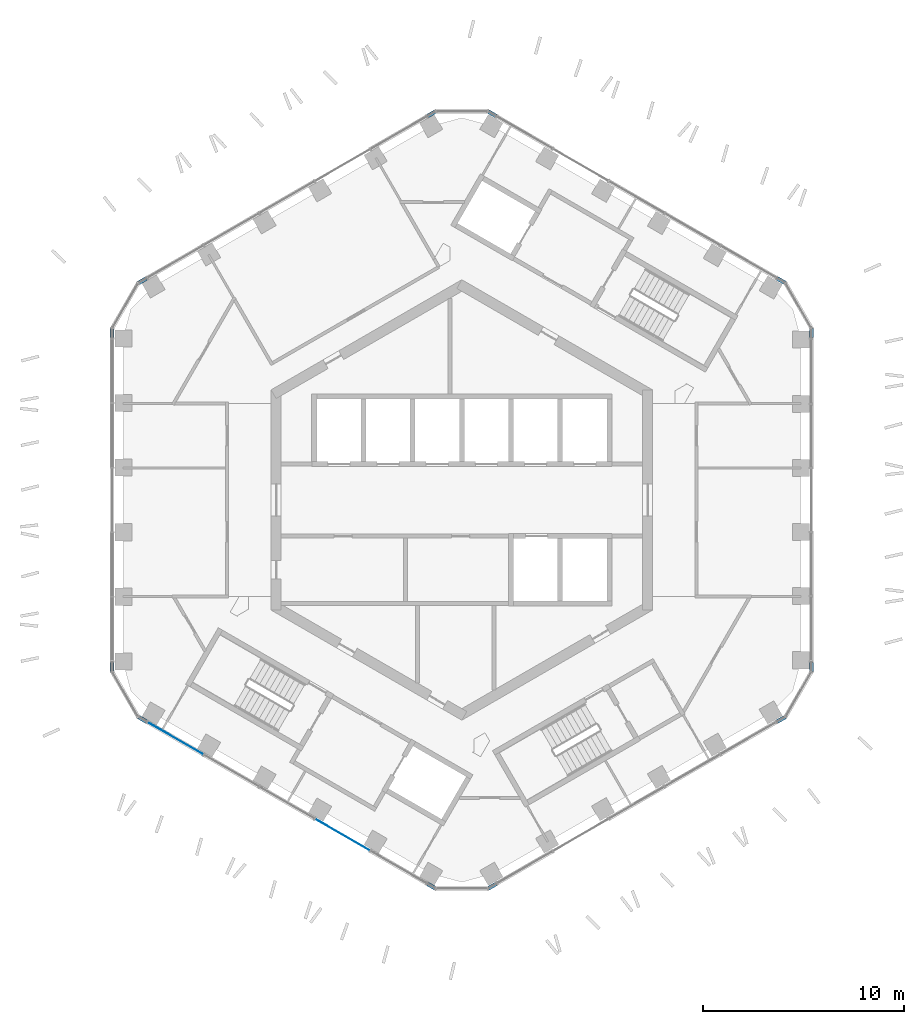
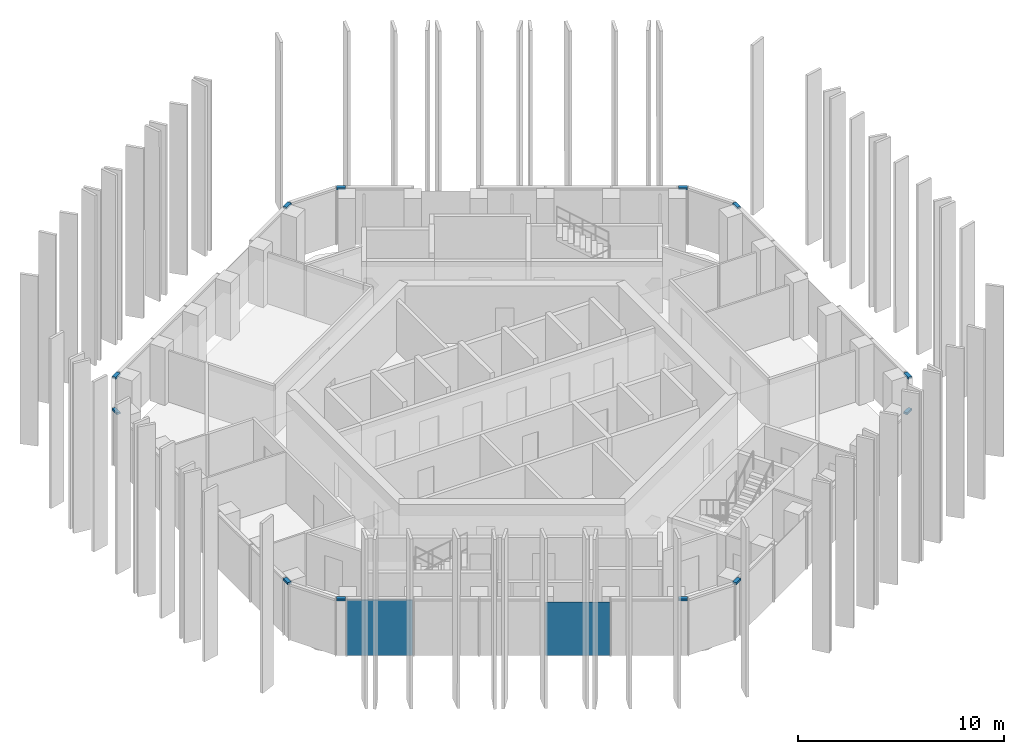
# One storey, part 7 of 18: 12 members, 2 plates, 7 elements without a shape of their own.
"""IFC4 building model written with IfcOpenShell, lengths in metres."""

from ifc_helpers import new_model, si_unit, direction, frame, origin, origin_2d, place, context, subcontext, project, spatial, rectangle, extrude, material, layer, layer_set, material_profile, profile_set, type_object, element, aggregate, save


model = new_model("IFC4")

# Units and contexts
model_context = context("Model", 3, precision=1e-05, world=origin(), true_north=direction((0.0, 1.0)))
body_context = subcontext(model_context, "Body", "Model", "MODEL_VIEW")
ifc_project = project(units=[si_unit("LENGTHUNIT", "METRE"), si_unit("AREAUNIT", "SQUARE_METRE"), si_unit("VOLUMEUNIT", "CUBIC_METRE"), si_unit("PLANEANGLEUNIT", "RADIAN"), si_unit("MASSUNIT", "GRAM", prefix="KILO")], contexts=[model_context])

# Site, building, storey
site_placement = place(None, origin())
site = spatial("IfcSite", under=ifc_project, at=site_placement, CompositionType="ELEMENT")
building_placement = place(site_placement, origin())
building = spatial("IfcBuilding", under=site, at=building_placement, Name="Ayvan Gate Tower", CompositionType="ELEMENT")
storey_placement = place(building_placement, frame((0.0, 0.0, 218.89990234375)))
storey = spatial("IfcBuildingStorey", under=building, at=storey_placement, Name="L58", CompositionType="ELEMENT", Elevation=218.89990234375)

# Curtain wall, members
ifc_material_1 = material(Name="Bronze anodised aluminium", Category="aluminium")
ifc_layer_1 = layer(ifc_material_1, 0.199951171875)
ifc_layer_set_1 = layer_set([ifc_layer_1], Name="Bronze anodised aluminium")
curtain_wall_type_1 = type_object("IfcCurtainWallType", Name="Stick curtain wall CW-6", PredefinedType="NOTDEFINED", material=ifc_layer_set_1)
curtain_wall_1_placement = place(storey_placement, origin())
curtain_wall_1 = element("IfcCurtainWall", 1, at=curtain_wall_1_placement, inside=storey, type_object=curtain_wall_type_1, Name="Stick curtain wall CW-6 L58", PredefinedType="NOTDEFINED")
ifc_material_profile = material_profile(ifc_material_1, rectangle(XDim=0.199951171875, YDim=0.1201171875, at=origin_2d()), Name="Stick curtain wall CW-6 transom 200 x 120")
ifc_profile_set = profile_set([ifc_material_profile], Name="Bronze anodised aluminium")
member_type = type_object("IfcMemberType", Name="Stick curtain wall CW-6 transom 200 x 120", PredefinedType="USERDEFINED", material=ifc_profile_set)
member_1_placement = place(storey_placement, frame((-15.7099609375, 11.0361328125, 3.340087890625), z_axis=(-0.865896406789, -0.500223362819, 0.0), x_axis=(0.500223362819, -0.865896406789, 0.0)))
member_1 = element("IfcMember", 2, at=member_1_placement, type_object=member_type, Name="CW-6 transom 1", ObjectType="TRANSOM", PredefinedType="USERDEFINED", context=body_context, shape_type="SweptSolid", body=[
    extrude(rectangle(XDim=0.199951171875, YDim=0.1201171875, at=origin_2d()), origin(), (0.0, 0.0, 1.0), 0.449951171875),
])
member_2_placement = place(storey_placement, frame((-17.41259765625, 8.537109375, 3.340087890625), z_axis=(0.0, -1.0, 0.0), x_axis=(1.0, 0.0, 0.0)))
member_2 = element("IfcMember", 3, at=member_2_placement, type_object=member_type, Name="CW-6 transom 3", ObjectType="TRANSOM", PredefinedType="USERDEFINED", context=body_context, shape_type="SweptSolid", body=[
    extrude(rectangle(XDim=0.199951171875, YDim=0.1201171875, at=origin_2d()), origin(), (0.0, 0.0, 1.0), 0.449951171875),
])
aggregate(curtain_wall_1, [member_1, member_2])

curtain_wall_2_placement = place(storey_placement, origin())
curtain_wall_2 = element("IfcCurtainWall", 4, at=curtain_wall_2_placement, inside=storey, type_object=curtain_wall_type_1, Name="Stick curtain wall CW-6 L58", PredefinedType="NOTDEFINED")
member_3_placement = place(storey_placement, frame((-17.41259765625, -8.087158203125, 3.340087890625), z_axis=(0.0, -1.0, 0.0), x_axis=(1.0, 0.0, 0.0)))
member_3 = element("IfcMember", 5, at=member_3_placement, type_object=member_type, Name="CW-6 transom 1", ObjectType="TRANSOM", PredefinedType="USERDEFINED", context=body_context, shape_type="SweptSolid", body=[
    extrude(rectangle(XDim=0.199951171875, YDim=0.1201171875, at=origin_2d()), origin(), (0.0, 0.0, 1.0), 0.449951171875),
])
member_4_placement = place(storey_placement, frame((-16.099609375, -10.81103515625, 3.340087890625), z_axis=(0.865896406789, -0.500223362819, 0.0), x_axis=(0.500223362819, 0.865896406789, 0.0)))
member_4 = element("IfcMember", 6, at=member_4_placement, type_object=member_type, Name="CW-6 transom 3", ObjectType="TRANSOM", PredefinedType="USERDEFINED", context=body_context, shape_type="SweptSolid", body=[
    extrude(rectangle(XDim=0.199951171875, YDim=0.1201171875, at=origin_2d()), origin(), (0.0, 0.0, 1.0), 0.449951171875),
])
aggregate(curtain_wall_2, [member_3, member_4])

curtain_wall_3_placement = place(storey_placement, origin())
curtain_wall_3 = element("IfcCurtainWall", 7, at=curtain_wall_3_placement, inside=storey, type_object=curtain_wall_type_1, Name="Stick curtain wall CW-6 L58", PredefinedType="NOTDEFINED")
member_5_placement = place(storey_placement, frame((-1.70263671875, -19.123291015625, 3.340087890625), z_axis=(0.866131372301, -0.499816412211, 0.0), x_axis=(0.499816412211, 0.866131372301, 0.0)))
member_5 = element("IfcMember", 8, at=member_5_placement, type_object=member_type, Name="CW-6 transom 1", ObjectType="TRANSOM", PredefinedType="USERDEFINED", context=body_context, shape_type="SweptSolid", body=[
    extrude(rectangle(XDim=0.199951171875, YDim=0.1201171875, at=origin_2d()), origin(), (0.0, 0.0, 1.0), 0.449951171875),
])
member_6_placement = place(storey_placement, frame((1.31298828125, -19.34814453125, 3.340087890625), z_axis=(0.866131372301, 0.499816412211, 0.0), x_axis=(-0.499816412211, 0.866131372301, 0.0)))
member_6 = element("IfcMember", 9, at=member_6_placement, type_object=member_type, Name="CW-6 transom 3", ObjectType="TRANSOM", PredefinedType="USERDEFINED", context=body_context, shape_type="SweptSolid", body=[
    extrude(rectangle(XDim=0.199951171875, YDim=0.1201171875, at=origin_2d()), origin(), (0.0, 0.0, 1.0), 0.449951171875),
])
aggregate(curtain_wall_3, [member_5, member_6])

curtain_wall_4_placement = place(storey_placement, origin())
curtain_wall_4 = element("IfcCurtainWall", 10, at=curtain_wall_4_placement, inside=storey, type_object=curtain_wall_type_1, Name="Stick curtain wall CW-6 L58", PredefinedType="NOTDEFINED")
member_7_placement = place(storey_placement, frame((15.7099609375, -11.0361328125, 3.340087890625), z_axis=(0.865896406789, 0.500223362819, 0.0), x_axis=(-0.500223362819, 0.865896406789, 0.0)))
member_7 = element("IfcMember", 11, at=member_7_placement, type_object=member_type, Name="CW-6 transom 1", ObjectType="TRANSOM", PredefinedType="USERDEFINED", context=body_context, shape_type="SweptSolid", body=[
    extrude(rectangle(XDim=0.199951171875, YDim=0.1201171875, at=origin_2d()), origin(), (0.0, 0.0, 1.0), 0.449951171875),
])
member_8_placement = place(storey_placement, frame((17.41259765625, -8.537109375, 3.340087890625), z_axis=(0.0, 1.0, 0.0), x_axis=(-1.0, 0.0, 0.0)))
member_8 = element("IfcMember", 12, at=member_8_placement, type_object=member_type, Name="CW-6 transom 3", ObjectType="TRANSOM", PredefinedType="USERDEFINED", context=body_context, shape_type="SweptSolid", body=[
    extrude(rectangle(XDim=0.199951171875, YDim=0.1201171875, at=origin_2d()), origin(), (0.0, 0.0, 1.0), 0.449951171875),
])
aggregate(curtain_wall_4, [member_7, member_8])

curtain_wall_5_placement = place(storey_placement, origin())
curtain_wall_5 = element("IfcCurtainWall", 13, at=curtain_wall_5_placement, inside=storey, type_object=curtain_wall_type_1, Name="Stick curtain wall CW-6 L58", PredefinedType="NOTDEFINED")
member_9_placement = place(storey_placement, frame((17.41259765625, 8.087158203125, 3.340087890625), z_axis=(0.0, 1.0, 0.0), x_axis=(-1.0, 0.0, 0.0)))
member_9 = element("IfcMember", 14, at=member_9_placement, type_object=member_type, Name="CW-6 transom 1", ObjectType="TRANSOM", PredefinedType="USERDEFINED", context=body_context, shape_type="SweptSolid", body=[
    extrude(rectangle(XDim=0.199951171875, YDim=0.1201171875, at=origin_2d()), origin(), (0.0, 0.0, 1.0), 0.449951171875),
])
member_10_placement = place(storey_placement, frame((16.099609375, 10.81103515625, 3.340087890625), z_axis=(-0.865896406789, 0.500223362819, 0.0), x_axis=(-0.500223362819, -0.865896406789, 0.0)))
member_10 = element("IfcMember", 15, at=member_10_placement, type_object=member_type, Name="CW-6 transom 3", ObjectType="TRANSOM", PredefinedType="USERDEFINED", context=body_context, shape_type="SweptSolid", body=[
    extrude(rectangle(XDim=0.199951171875, YDim=0.1201171875, at=origin_2d()), origin(), (0.0, 0.0, 1.0), 0.449951171875),
])
aggregate(curtain_wall_5, [member_9, member_10])

curtain_wall_6_placement = place(storey_placement, origin())
curtain_wall_6 = element("IfcCurtainWall", 16, at=curtain_wall_6_placement, inside=storey, type_object=curtain_wall_type_1, Name="Stick curtain wall CW-6 L58", PredefinedType="NOTDEFINED")
member_11_placement = place(storey_placement, frame((1.70263671875, 19.123291015625, 3.340087890625), z_axis=(-0.866131372301, 0.499816412211, 0.0), x_axis=(-0.499816412211, -0.866131372301, 0.0)))
member_11 = element("IfcMember", 17, at=member_11_placement, type_object=member_type, Name="CW-6 transom 1", ObjectType="TRANSOM", PredefinedType="USERDEFINED", context=body_context, shape_type="SweptSolid", body=[
    extrude(rectangle(XDim=0.199951171875, YDim=0.1201171875, at=origin_2d()), origin(), (0.0, 0.0, 1.0), 0.449951171875),
])
member_12_placement = place(storey_placement, frame((-1.31298828125, 19.34814453125, 3.340087890625), z_axis=(-0.866131372301, -0.499816412211, 0.0), x_axis=(0.499816412211, -0.866131372301, 0.0)))
member_12 = element("IfcMember", 18, at=member_12_placement, type_object=member_type, Name="CW-6 transom 3", ObjectType="TRANSOM", PredefinedType="USERDEFINED", context=body_context, shape_type="SweptSolid", body=[
    extrude(rectangle(XDim=0.199951171875, YDim=0.1201171875, at=origin_2d()), origin(), (0.0, 0.0, 1.0), 0.449951171875),
])
aggregate(curtain_wall_6, [member_11, member_12])

# Curtain wall, plates
ifc_layer_2 = layer(ifc_material_1, 0.199951171875)
ifc_layer_set_2 = layer_set([ifc_layer_2], Name="Bronze anodised aluminium")
curtain_wall_type_2 = type_object("IfcCurtainWallType", Name="Stick curtain wall CW-2", PredefinedType="NOTDEFINED", material=ifc_layer_set_2)
curtain_wall_7_placement = place(storey_placement, origin())
curtain_wall_7 = element("IfcCurtainWall", 19, at=curtain_wall_7_placement, inside=storey, type_object=curtain_wall_type_2, Name="Stick curtain wall CW-2 L58", PredefinedType="NOTDEFINED")
ifc_material_2 = material(Name="Clear low-iron laminated glass", Category="glass")
ifc_layer_3 = layer(ifc_material_2, 0.028076171875)
ifc_layer_set_3 = layer_set([ifc_layer_3], Name="Clear low-iron laminated glass")
plate_type = type_object("IfcPlateType", Name="Stick curtain wall CW-2 glass panel", PredefinedType="CURTAIN_PANEL", material=ifc_layer_set_3)
plate_1_placement = place(storey_placement, frame((-14.2822265625, -11.8603515625, 0.0), z_axis=(0.0, 0.0, 1.0), x_axis=(0.866025403784, -0.5, 0.0)))
plate_1 = element("IfcPlate", 20, at=plate_1_placement, type_object=plate_type, Name="CW-2 glass panel 1", PredefinedType="CURTAIN_PANEL", context=body_context, shape_type="SweptSolid", body=[
    extrude(rectangle(XDim=3.22705078125, YDim=0.028076171875, at=origin_2d()), origin(), (0.0, 0.0, 1.0), 3.280029296875),
])
plate_2_placement = place(storey_placement, frame((-5.940673828125, -16.67626953125, 0.000244140625), z_axis=(0.0, 0.0, 1.0), x_axis=(0.866025403784, -0.5, 0.0)))
plate_2 = element("IfcPlate", 21, at=plate_2_placement, type_object=plate_type, Name="CW-2 glass panel 4", PredefinedType="CURTAIN_PANEL", context=body_context, shape_type="SweptSolid", body=[
    extrude(rectangle(XDim=3.123046875, YDim=0.028076171875, at=origin_2d()), origin(), (0.0, 0.0, 1.0), 3.14990234375),
])
aggregate(curtain_wall_7, [plate_1, plate_2])

save(model, "model.ifc")
